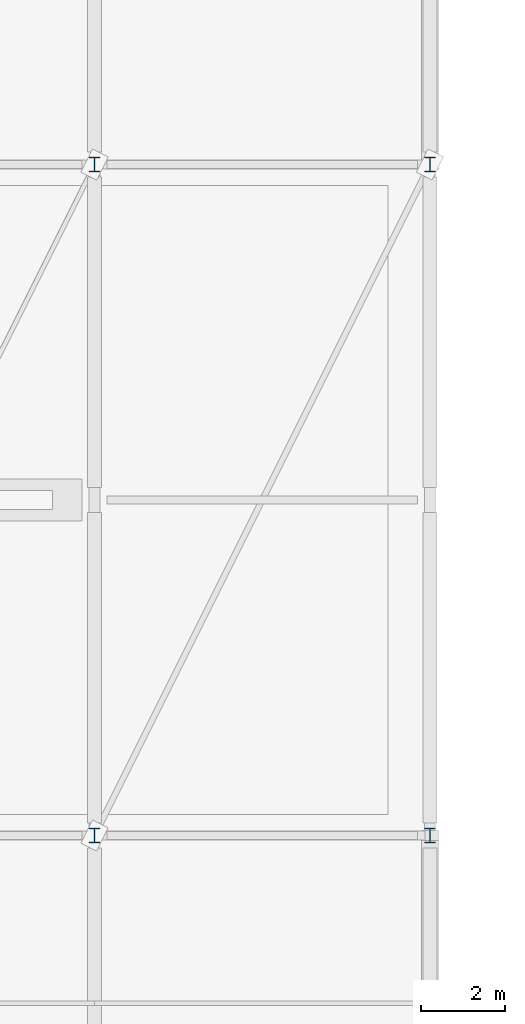
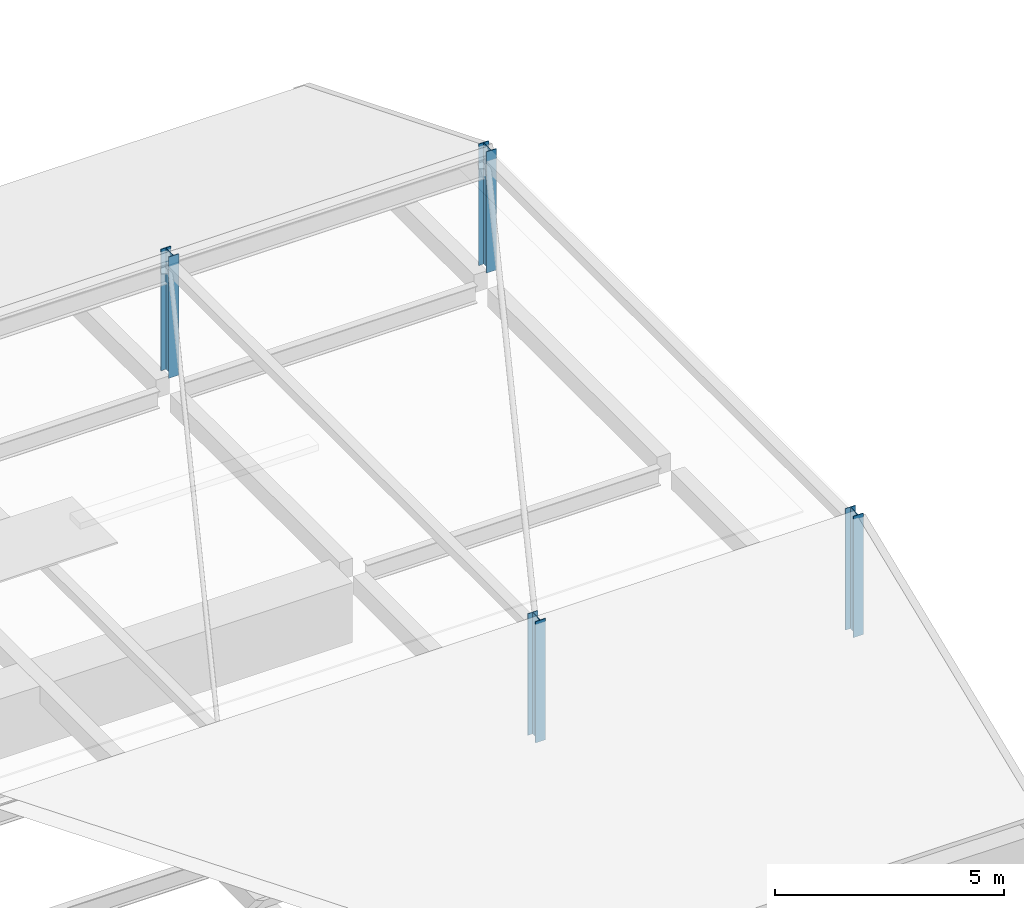
# One storey, part 2 of 47: 4 columns.
"""IFC4 building model written with IfcOpenShell, lengths in metres."""

from ifc_helpers import new_model, si_unit, direction, frame, origin, origin_2d, place, context, subcontext, project, spatial, i_section, extrude, material, material_profile, profile_set, type_object, element, save


model = new_model("IFC4")

# Units and contexts
model_context = context("Model", 3, precision=1e-05, world=origin(), true_north=direction((0.0, 1.0)))
body_context = subcontext(model_context, "Body", "Model", "MODEL_VIEW")
ifc_project = project(units=[si_unit("LENGTHUNIT", "METRE"), si_unit("AREAUNIT", "SQUARE_METRE"), si_unit("VOLUMEUNIT", "CUBIC_METRE"), si_unit("PLANEANGLEUNIT", "RADIAN"), si_unit("MASSUNIT", "GRAM", prefix="KILO")], contexts=[model_context])

# Site, building, storey
site_placement = place(None, origin())
site = spatial("IfcSite", under=ifc_project, at=site_placement, CompositionType="ELEMENT")
building_placement = place(site_placement, origin())
building = spatial("IfcBuilding", under=site, at=building_placement, Name="Pecanmere Concourse Central Library", CompositionType="ELEMENT")
storey_placement = place(building_placement, frame((0.0, 0.0, 15.300048828125)))
storey = spatial("IfcBuildingStorey", under=building, at=storey_placement, Name="L04", CompositionType="ELEMENT", Elevation=15.300048828125)

# Columns
ifc_material = material(Name="Structural steel ASTM A992 Grade 50", Category="steel")
ifc_material_profile = material_profile(ifc_material, i_section(OverallWidth=0.25390625, OverallDepth=0.35302734375, WebThickness=0.009521484375, FlangeThickness=0.016357421875, at=origin_2d()), Name="W360x91")
ifc_profile_set = profile_set([ifc_material_profile], Name="Structural steel ASTM A992 Grade 50")
column_type = type_object("IfcColumnType", Name="COL_STL_W360x91", PredefinedType="COLUMN", material=ifc_profile_set)
for number, where, z_axis, x_axis, name in (
    (1, (40.0, 8.0, 0.0), (0.0, 0.0, 1.0), (1.0, 0.0, 0.0), "Pavilion Ridge Monitor Column 005"),
    (2, (40.0, 24.0, 0.0), (0.0, 0.0, 1.0), (1.0, 0.0, 0.0), "Pavilion Ridge Monitor Column 006"),
    (3, (48.0, 8.0, 0.0), (0.0, 0.0, 1.0), (1.0, 0.0, 0.0), "Pavilion Ridge Monitor Column 007"),
    (4, (48.0, 24.0, 0.0), (0.0, 0.0, 1.0), (1.0, 0.0, 0.0), "Pavilion Ridge Monitor Column 008"),
):
    element("IfcColumn", number, at=place(storey_placement, frame(where, z_axis=z_axis, x_axis=x_axis)), inside=storey, type_object=column_type, Name=name, PredefinedType="COLUMN", context=body_context, shape_type="SweptSolid", body=[
        extrude(i_section(OverallWidth=0.25390625, OverallDepth=0.35302734375, WebThickness=0.009521484375, FlangeThickness=0.016357421875, at=origin_2d()), origin(), (0.0, 0.0, 1.0), 3.232177734375),
    ])

save(model, "model.ifc")
